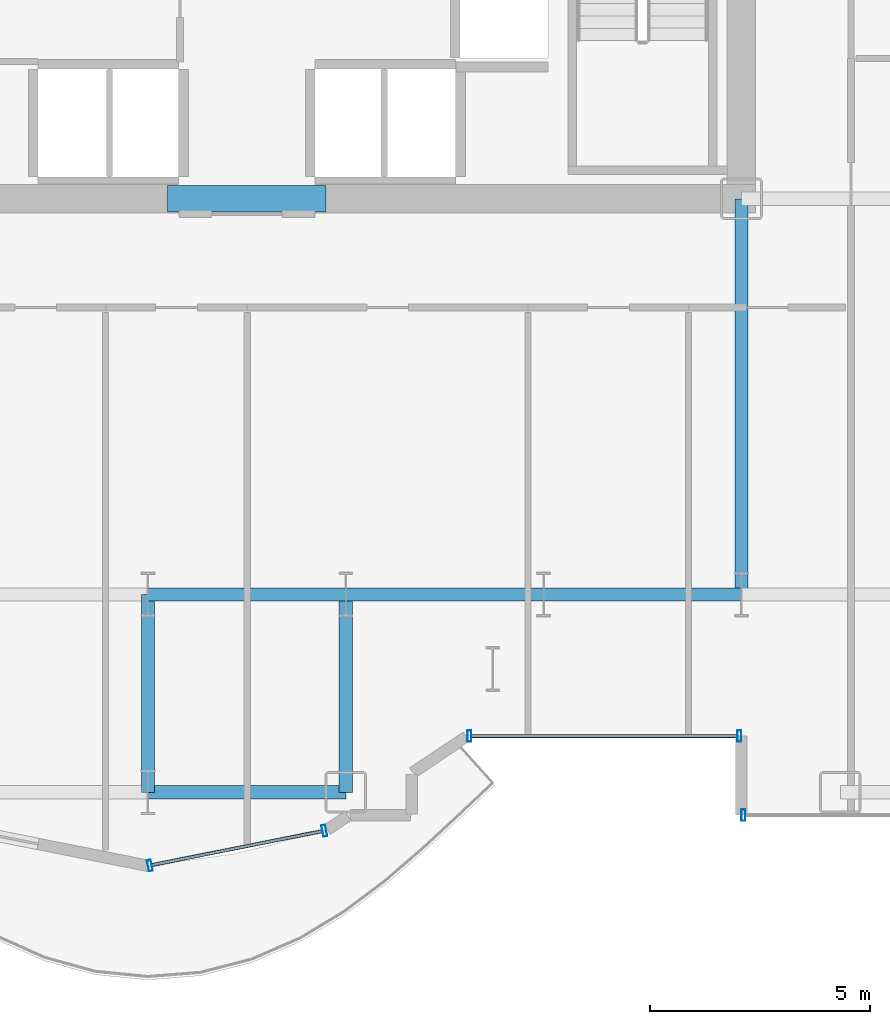
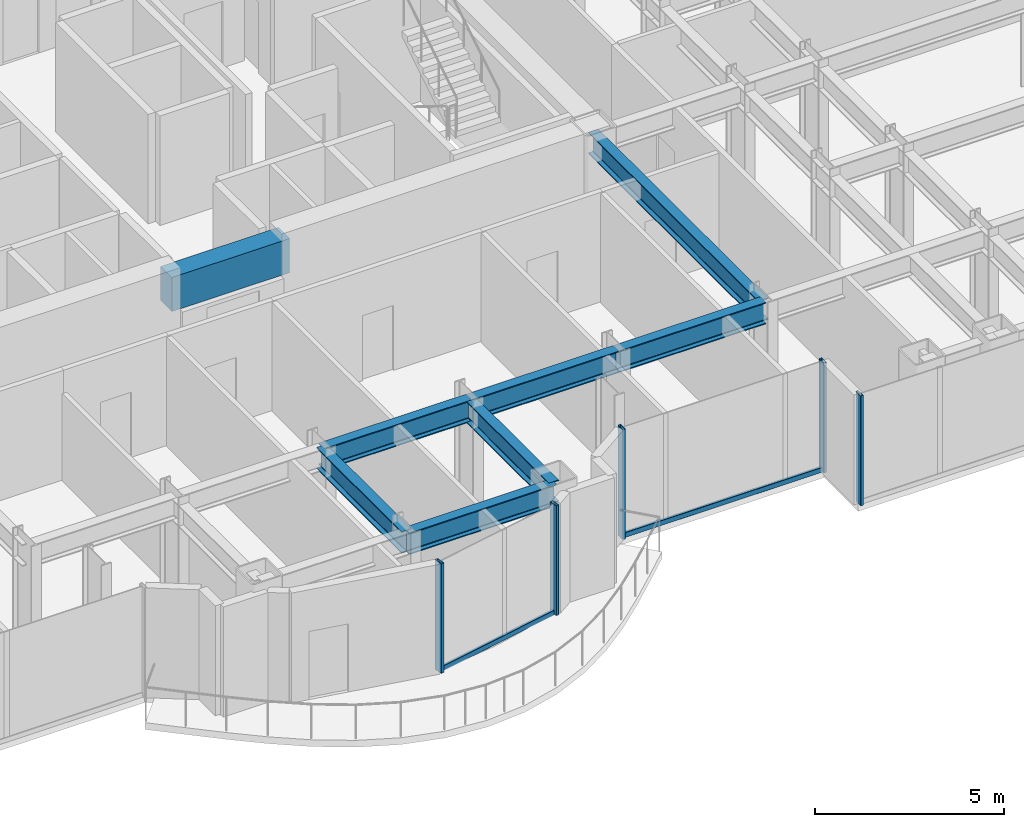
# One storey, part 8 of 29: 8 beams, 7 members, 3 elements without a shape of their own.
"""IFC4 building model written with IfcOpenShell, lengths in metres."""

from ifc_helpers import new_model, si_unit, direction, frame, origin, origin_2d, place, context, subcontext, project, spatial, rectangle, hollow_rectangle, i_section, extrude, source, transform, mapped, material, layer, layer_set, material_profile, profile_set, type_object, element, aggregate, save


model = new_model("IFC4")

# Units and contexts
model_context = context("Model", 3, precision=1e-05, world=origin(), true_north=direction((0.0, 1.0)))
body_context = subcontext(model_context, "Body", "Model", "MODEL_VIEW")
ifc_project = project(units=[si_unit("LENGTHUNIT", "METRE"), si_unit("AREAUNIT", "SQUARE_METRE"), si_unit("VOLUMEUNIT", "CUBIC_METRE"), si_unit("PLANEANGLEUNIT", "RADIAN"), si_unit("MASSUNIT", "GRAM", prefix="KILO")], contexts=[model_context])

# Site, building, storey
site_placement = place(None, origin())
site = spatial("IfcSite", under=ifc_project, at=site_placement, CompositionType="ELEMENT")
building_placement = place(site_placement, origin())
building = spatial("IfcBuilding", under=site, at=building_placement, Name="Nefas-Gora Pilgrimage Tower", CompositionType="ELEMENT")
storey_placement = place(building_placement, frame((0.0, 0.0, 67.199951171875)))
storey = spatial("IfcBuildingStorey", under=building, at=storey_placement, Name="L15", CompositionType="ELEMENT", Elevation=67.199951171875)

# Beams
ifc_material_1 = material(Name="Concrete C60/75", Category="concrete")
ifc_material_profile_1 = material_profile(ifc_material_1, rectangle(XDim=0.60009765625, YDim=1.10009765625, at=origin_2d()), Name="RC 600x1100")
ifc_profile_set_1 = profile_set([ifc_material_profile_1], Name="Concrete C60/75")
beam_type_1 = type_object("IfcBeamType", Name="BM-LIN-RC1100", PredefinedType="LINTEL", material=ifc_profile_set_1)
shared_shape_1 = source(origin(), body_context, "Body", "SweptSolid", [
    extrude(rectangle(XDim=0.60009765625, YDim=1.10009765625, at=origin_2d()), origin(), (0.0, 0.0, 1.0), 3.60009765625),
])
beam_1_placement = place(storey_placement, frame((-1.800048828125, -9.0, 3.0), z_axis=(1.0, 0.0, 0.0), x_axis=(0.0, 1.0, 0.0)))
element("IfcBeam", 1, at=beam_1_placement, inside=storey, type_object=beam_type_1, Name="L15 Core Coupling Lintel Beam S", PredefinedType="LINTEL", context=body_context, shape_type="MappedRepresentation", body=[
    mapped(shared_shape_1, transform((0.0, 0.0, 0.0), x_axis=(1.0, 0.0, 0.0), y_axis=(0.0, 1.0, 0.0), z_axis=(0.0, 0.0, 1.0), scale=1.0)),
])
ifc_material_2 = material(Name="Steel S355", Category="steel")
ifc_material_profile_2 = material_profile(ifc_material_2, i_section(OverallWidth=0.300048828125, OverallDepth=0.699951171875, WebThickness=0.01708984375, FlangeThickness=0.031982421875, FilletRadius=0.027099609375, at=origin_2d()), Name="HEB 700")
ifc_profile_set_2 = profile_set([ifc_material_profile_2], Name="Steel S355")
beam_type_2 = type_object("IfcBeamType", Name="BM-GIR-HEB700", PredefinedType="BEAM", material=ifc_profile_set_2)
shared_shape_2 = source(origin(), body_context, "Body", "SweptSolid", [
    extrude(i_section(OverallWidth=0.300048828125, OverallDepth=0.699951171875, WebThickness=0.01708984375, FlangeThickness=0.031982421875, FilletRadius=0.027099609375, at=origin_2d()), origin(), (0.0, 0.0, 1.0), 9.0),
])
beam_2_placement = place(storey_placement, frame((11.25, -18.0, 3.199951171875), z_axis=(0.0, 1.0, 0.0), x_axis=(-1.0, 0.0, 0.0)))
element("IfcBeam", 2, at=beam_2_placement, inside=storey, type_object=beam_type_2, Name="L15 G-02 beam", PredefinedType="BEAM", context=body_context, shape_type="MappedRepresentation", body=[
    mapped(shared_shape_2, transform((0.0, 0.0, 0.0), x_axis=(1.0, 0.0, 0.0), y_axis=(0.0, 1.0, 0.0), z_axis=(0.0, 0.0, 1.0), scale=1.0)),
])
shared_shape_3 = source(origin(), body_context, "Body", "SweptSolid", [
    extrude(i_section(OverallWidth=0.300048828125, OverallDepth=0.699951171875, WebThickness=0.01708984375, FlangeThickness=0.031982421875, FilletRadius=0.027099609375, at=origin_2d()), origin(), (0.0, 0.0, 1.0), 4.5),
])
for number, where, z_axis, x_axis, name in (
    (3, (-2.25, -22.5, 3.199951171875), (0.0, 1.0, 0.0), (-1.0, 0.0, 0.0), "L15 G-02 beam"),
    (4, (-2.25, -22.5, 3.199951171875), (1.0, 0.0, 0.0), (0.0, 1.0, 0.0), "L15 G-02 beam"),
    (5, (-2.25, -18.0, 3.199951171875), (1.0, 0.0, 0.0), (0.0, 1.0, 0.0), "L15 G-02 beam"),
    (6, (2.25, -22.5, 3.199951171875), (0.0, 1.0, 0.0), (-1.0, 0.0, 0.0), "L15 G-02 beam"),
    (7, (2.25, -18.0, 3.199951171875), (1.0, 0.0, 0.0), (0.0, 1.0, 0.0), "L15 G-02 beam"),
    (8, (6.75, -18.0, 3.199951171875), (1.0, 0.0, 0.0), (0.0, 1.0, 0.0), "L15 G-02 beam"),
):
    element("IfcBeam", number, at=place(storey_placement, frame(where, z_axis=z_axis, x_axis=x_axis)), inside=storey, type_object=beam_type_2, Name=name, PredefinedType="BEAM", context=body_context, shape_type="MappedRepresentation", body=[
        mapped(shared_shape_3, transform((0.0, 0.0, 0.0), x_axis=(1.0, 0.0, 0.0), y_axis=(0.0, 1.0, 0.0), z_axis=(0.0, 0.0, 1.0), scale=1.0)),
    ])

# Curtain wall, members
ifc_material_3 = material(Name="Dark ceramic-fritted solar-control aluminium-glass curtain wall", Category="aluminium")
ifc_layer_1 = layer(ifc_material_3, 0.219970703125)
ifc_layer_set_1 = layer_set([ifc_layer_1], Name="Dark ceramic-fritted solar-control aluminium-glass curtain wall")
curtain_wall_type_1 = type_object("IfcCurtainWallType", Name="CW-SYS-5", PredefinedType="NOTDEFINED", material=ifc_layer_set_1)
curtain_wall_1_placement = place(storey_placement, origin())
curtain_wall_1 = element("IfcCurtainWall", 9, at=curtain_wall_1_placement, inside=storey, type_object=curtain_wall_type_1, Name="L15 Unitised Curtain Wall CW5", PredefinedType="NOTDEFINED")
ifc_material_4 = material(Name="Anodised architectural aluminium", Category="aluminium")
ifc_material_profile_3 = material_profile(ifc_material_4, hollow_rectangle(XDim=0.090087890625, YDim=0.260009765625, WallThickness=0.006103515625, InnerFilletRadius=0.006103515625, OuterFilletRadius=0.011962890625, at=origin_2d()), Name="ALU MULLION 90x260")
ifc_profile_set_3 = profile_set([ifc_material_profile_3], Name="Anodised architectural aluminium")
member_type_1 = type_object("IfcMemberType", Name="CWM-MUL-5", PredefinedType="MULLION", material=ifc_profile_set_3)
shared_shape_4 = source(origin(), body_context, "Body", "SweptSolid", [
    extrude(hollow_rectangle(XDim=0.090087890625, YDim=0.260009765625, WallThickness=0.006103515625, InnerFilletRadius=0.006103515625, OuterFilletRadius=0.011962890625, at=origin_2d()), origin(), (0.0, 0.0, 1.0), 3.550048828125),
])
member_1_placement = place(storey_placement, frame((5.06298828125, -21.219970703125, 0.0), z_axis=(0.0, 0.0, 1.0), x_axis=(1.0, 0.0, 0.0)))
member_1 = element("IfcMember", 10, at=member_1_placement, type_object=member_type_1, Name="CW5 Mullion 1", PredefinedType="MULLION", context=body_context, shape_type="MappedRepresentation", body=[
    mapped(shared_shape_4, transform((0.0, 0.0, 0.0), x_axis=(1.0, 0.0, 0.0), y_axis=(0.0, 1.0, 0.0), z_axis=(0.0, 0.0, 1.0), scale=1.0)),
])
member_2_placement = place(storey_placement, frame((11.205078125, -21.219970703125, 0.0), z_axis=(0.0, 0.0, 1.0), x_axis=(1.0, 0.0, 0.0)))
member_2 = element("IfcMember", 11, at=member_2_placement, type_object=member_type_1, Name="CW5 Mullion 2", PredefinedType="MULLION", context=body_context, shape_type="MappedRepresentation", body=[
    mapped(shared_shape_4, transform((0.0, 0.0, 0.0), x_axis=(1.0, 0.0, 0.0), y_axis=(0.0, 1.0, 0.0), z_axis=(0.0, 0.0, 1.0), scale=1.0)),
])

curtain_wall_2_placement = place(storey_placement, origin())
curtain_wall_2 = element("IfcCurtainWall", 12, at=curtain_wall_2_placement, inside=storey, type_object=curtain_wall_type_1, Name="L15 Unitised Curtain Wall CW5", PredefinedType="NOTDEFINED")
member_3_placement = place(storey_placement, frame((-2.205810546875, -24.16357421875, 0.0), z_axis=(0.0, 0.0, 1.0), x_axis=(0.980782896852, 0.195102304554, 0.0)))
member_3 = element("IfcMember", 13, at=member_3_placement, type_object=member_type_1, Name="CW5 Mullion 1", PredefinedType="MULLION", context=body_context, shape_type="MappedRepresentation", body=[
    mapped(shared_shape_4, transform((0.0, 0.0, 0.0), x_axis=(1.0, 0.0, 0.0), y_axis=(0.0, 1.0, 0.0), z_axis=(0.0, 0.0, 1.0), scale=1.0)),
])
member_4_placement = place(storey_placement, frame((1.76318359375, -23.3740234375, 0.0), z_axis=(0.0, 0.0, 1.0), x_axis=(0.980782896852, 0.195102304554, 0.0)))
member_4 = element("IfcMember", 14, at=member_4_placement, type_object=member_type_1, Name="CW5 Mullion 2", PredefinedType="MULLION", context=body_context, shape_type="MappedRepresentation", body=[
    mapped(shared_shape_4, transform((0.0, 0.0, 0.0), x_axis=(1.0, 0.0, 0.0), y_axis=(0.0, 1.0, 0.0), z_axis=(0.0, 0.0, 1.0), scale=1.0)),
])

# Member
ifc_material_profile_4 = material_profile(ifc_material_4, hollow_rectangle(XDim=0.080078125, YDim=0.159912109375, WallThickness=0.00439453125, InnerFilletRadius=0.00439453125, OuterFilletRadius=0.009033203125, at=origin_2d()), Name="ALU TRANSOM 80x160")
ifc_profile_set_4 = profile_set([ifc_material_profile_4], Name="Anodised architectural aluminium")
member_type_2 = type_object("IfcMemberType", Name="CWM-TRN-5", PredefinedType="USERDEFINED", material=ifc_profile_set_4)
shared_shape_5 = source(origin(), body_context, "Body", "SweptSolid", [
    extrude(hollow_rectangle(XDim=0.080078125, YDim=0.159912109375, WallThickness=0.00439453125, InnerFilletRadius=0.00439453125, OuterFilletRadius=0.009033203125, at=origin_2d()), origin(), (0.0, 0.0, 1.0), 6.052001953125),
])
member_5_placement = place(storey_placement, frame((5.10791015625, -21.219970703125, 0.050048828125), z_axis=(1.0, 0.0, 0.0), x_axis=(0.0, 1.0, 0.0)))
member_5 = element("IfcMember", 15, at=member_5_placement, type_object=member_type_2, Name="CW5 Spandrel Transom", ObjectType="TRANSOM", PredefinedType="USERDEFINED", context=body_context, shape_type="MappedRepresentation", body=[
    mapped(shared_shape_5, transform((0.0, 0.0, 0.0), x_axis=(1.0, 0.0, 0.0), y_axis=(0.0, 1.0, 0.0), z_axis=(0.0, 0.0, 1.0), scale=1.0)),
])

aggregate(curtain_wall_1, [member_1, member_2, member_5])

# Curtain wall, member
ifc_layer_2 = layer(ifc_material_3, 0.219970703125)
ifc_layer_set_2 = layer_set([ifc_layer_2], Name="Dark ceramic-fritted solar-control aluminium-glass curtain wall")
curtain_wall_type_2 = type_object("IfcCurtainWallType", Name="CW-SYS-2", PredefinedType="NOTDEFINED", material=ifc_layer_set_2)
curtain_wall_3_placement = place(storey_placement, origin())
curtain_wall_3 = element("IfcCurtainWall", 16, at=curtain_wall_3_placement, inside=storey, type_object=curtain_wall_type_2, Name="L15 Unitised Curtain Wall CW2", PredefinedType="NOTDEFINED")
ifc_material_profile_5 = material_profile(ifc_material_4, hollow_rectangle(XDim=0.090087890625, YDim=0.260009765625, WallThickness=0.006103515625, InnerFilletRadius=0.006103515625, OuterFilletRadius=0.011962890625, at=origin_2d()), Name="ALU MULLION 90x260")
ifc_profile_set_5 = profile_set([ifc_material_profile_5], Name="Anodised architectural aluminium")
member_type_3 = type_object("IfcMemberType", Name="CWM-MUL-2", PredefinedType="MULLION", material=ifc_profile_set_5)
shared_shape_6 = source(origin(), body_context, "Body", "SweptSolid", [
    extrude(hollow_rectangle(XDim=0.090087890625, YDim=0.260009765625, WallThickness=0.006103515625, InnerFilletRadius=0.006103515625, OuterFilletRadius=0.011962890625, at=origin_2d()), origin(), (0.0, 0.0, 1.0), 3.550048828125),
])
member_6_placement = place(storey_placement, frame((11.294921875, -23.02001953125, 0.0), z_axis=(0.0, 0.0, 1.0), x_axis=(1.0, 0.0, 0.0)))
member_6 = element("IfcMember", 17, at=member_6_placement, type_object=member_type_3, Name="CW2 Mullion 1", PredefinedType="MULLION", context=body_context, shape_type="MappedRepresentation", body=[
    mapped(shared_shape_6, transform((0.0, 0.0, 0.0), x_axis=(1.0, 0.0, 0.0), y_axis=(0.0, 1.0, 0.0), z_axis=(0.0, 0.0, 1.0), scale=1.0)),
])
aggregate(curtain_wall_3, [member_6])

# Member
shared_shape_7 = source(origin(), body_context, "Body", "SweptSolid", [
    extrude(hollow_rectangle(XDim=0.080078125, YDim=0.159912109375, WallThickness=0.00439453125, InnerFilletRadius=0.00439453125, OuterFilletRadius=0.009033203125, at=origin_2d()), origin(), (0.0, 0.0, 1.0), 3.95654296875),
])
member_7_placement = place(storey_placement, frame((-2.16162109375, -24.15478515625, 0.050048828125), z_axis=(0.980781880918, 0.195107411605, 0.0), x_axis=(-0.195107411605, 0.980781880918, 0.0)))
member_7 = element("IfcMember", 18, at=member_7_placement, type_object=member_type_2, Name="CW5 Spandrel Transom", ObjectType="TRANSOM", PredefinedType="USERDEFINED", context=body_context, shape_type="MappedRepresentation", body=[
    mapped(shared_shape_7, transform((0.0, 0.0, 0.0), x_axis=(1.0, 0.0, 0.0), y_axis=(0.0, 1.0, 0.0), z_axis=(0.0, 0.0, 1.0), scale=1.0)),
])

aggregate(curtain_wall_2, [member_3, member_4, member_7])

save(model, "model.ifc")
